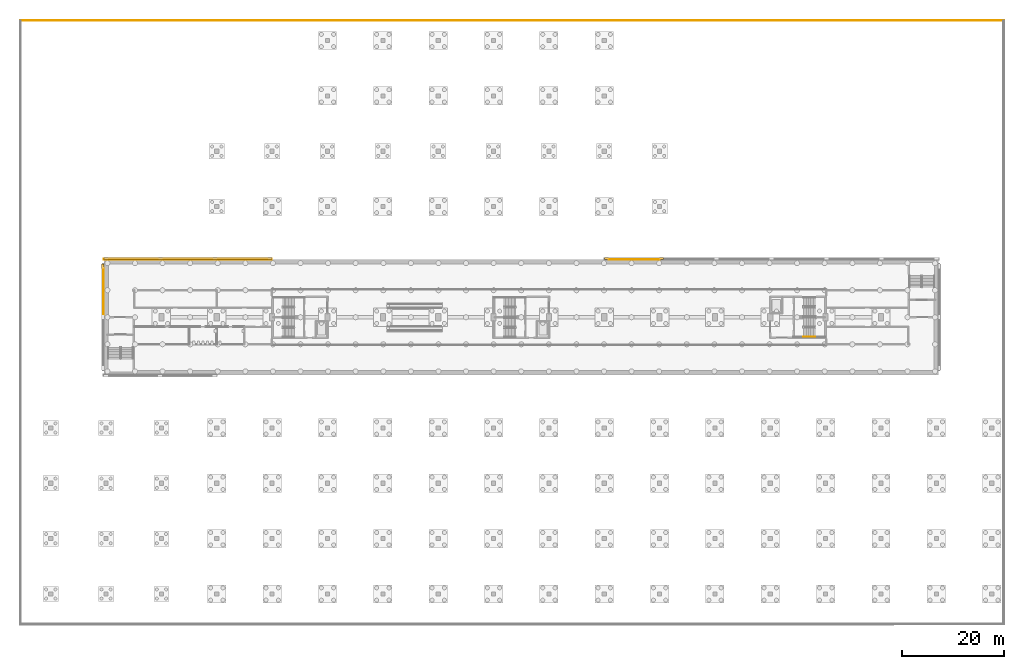
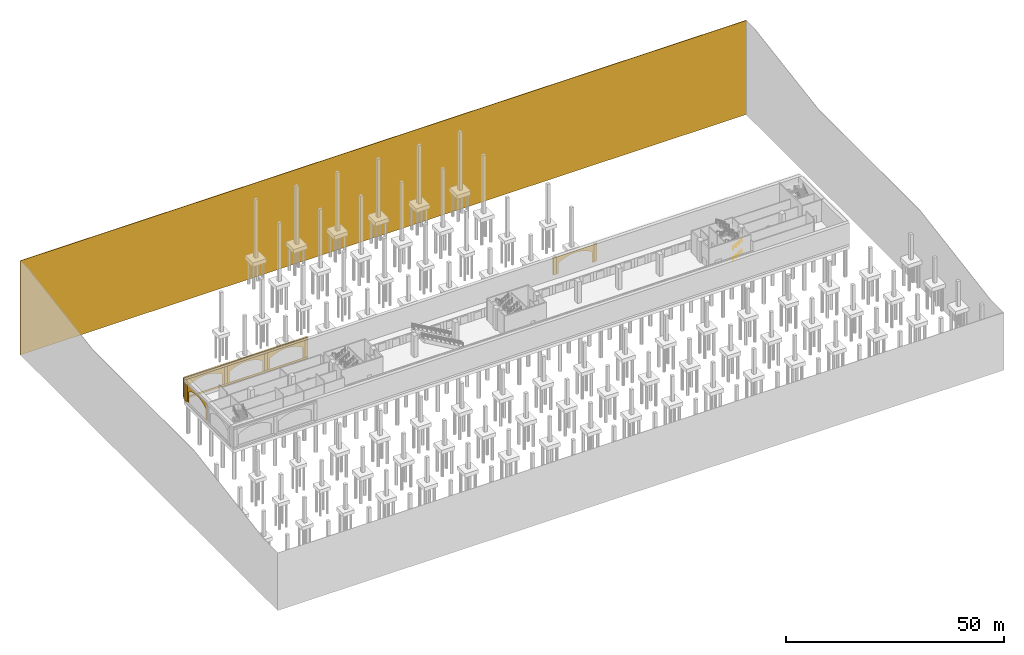
# One storey, part 34 of 39: 16 coverings, 2 railings.
"""IFC4 building model written with IfcOpenShell, lengths in metres."""

from ifc_helpers import new_model, si_unit, direction, frame, frame_2d, origin, origin_2d, place, context, subcontext, project, spatial, polyline, rectangle, circle, outline, extrude, material, layer, layer_set, type_object, element, save


model = new_model("IFC4")

# Units and contexts
model_context = context("Model", 3, precision=1e-05, world=origin(), true_north=direction((0.0, 1.0)))
body_context = subcontext(model_context, "Body", "Model", "MODEL_VIEW")
ifc_project = project(units=[si_unit("LENGTHUNIT", "METRE"), si_unit("AREAUNIT", "SQUARE_METRE"), si_unit("VOLUMEUNIT", "CUBIC_METRE"), si_unit("PLANEANGLEUNIT", "RADIAN"), si_unit("MASSUNIT", "GRAM", prefix="KILO")], contexts=[model_context])

# Site, building, storey
site_placement = place(None, origin())
site = spatial("IfcSite", under=ifc_project, at=site_placement, CompositionType="ELEMENT")
building_placement = place(site_placement, origin())
building = spatial("IfcBuilding", under=site, at=building_placement, Name="Magnolia Steps Interchange", CompositionType="ELEMENT")
storey_placement = place(building_placement, frame((0.0, 0.0, -11.39990234375)))
storey = spatial("IfcBuildingStorey", under=building, at=storey_placement, Name="B2", CompositionType="ELEMENT", Elevation=-11.39990234375)

# Coverings
ifc_material_1 = material(Name="Compacted earth and rock face")
ifc_layer_1 = layer(ifc_material_1, 0.14990234375)
ifc_layer_set_1 = layer_set([ifc_layer_1], Name="Earth retaining face 150")
covering_type_1 = type_object("IfcCoveringType", Name="Earth retaining face 150", PredefinedType="CLADDING", material=ifc_layer_set_1)
covering_1_placement = place(storey_placement, frame((196.0, 121.925048828125, -10.10009765625), z_axis=(0.0, 0.0, 1.0), x_axis=(-1.0, 0.0, 0.0)))
element("IfcCovering", 1, at=covering_1_placement, inside=storey, type_object=covering_type_1, Name="Earth retaining face north", PredefinedType="CLADDING", context=body_context, shape_type="SweptSolid", body=[
    extrude(rectangle(XDim=192.0, YDim=0.14990234375, at=frame_2d((96.0, 0.0))), origin(), (0.0, 0.0, 1.0), 26.300048828125),
])
ifc_material_2 = material(Name="Lime render")
ifc_layer_2 = layer(ifc_material_2, 0.080078125)
ifc_layer_set_2 = layer_set([ifc_layer_2], Name="Lime render arch infill")
covering_type_2 = type_object("IfcCoveringType", Name="Lime render arch infill", PredefinedType="CLADDING", material=ifc_layer_set_2)
covering_2_placement = place(storey_placement, frame((21.699951171875, 75.25, 0.5), z_axis=(0.0, -1.0, 0.0), x_axis=(0.0, 0.0, 1.0)))
element("IfcCovering", 2, at=covering_2_placement, inside=storey, type_object=covering_type_2, Name="Blind arch metro box wall 1.1", PredefinedType="CLADDING", context=body_context, shape_type="SweptSolid", body=[
    extrude(outline(polyline([(0.0, 0.0), (3.0, 0.0), (3.292724609, -0.487060547), (3.541259766, -0.974121094), (3.75, -1.461181641), (3.922119141, -1.948242188), (4.060302734, -2.435302734), (4.166015625, -2.922363281), (4.240722656, -3.409423828), (4.28515625, -3.896240234), (4.299804688, -4.383300781), (4.28515625, -4.870361328), (4.240722656, -5.357421875), (4.166015625, -5.844482422), (4.060302734, -6.331542969), (3.922119141, -6.818603516), (3.75, -7.305664062), (3.541259766, -7.792724609), (3.292724609, -8.279541016), (3.0, -8.766845703), (0.0, -8.766845703), (0.0, -9.316650391), (4.849853516, -9.316650391), (4.849853516, 0.550048828), (0.0, 0.550048828), (0.0, 0.0)])), origin(), (0.0, 0.0, -1.0), 0.080078125),
])
covering_3_placement = place(storey_placement, frame((32.36669921875, 75.25, 0.5), z_axis=(0.0, -1.0, 0.0), x_axis=(0.0, 0.0, 1.0)))
element("IfcCovering", 3, at=covering_3_placement, inside=storey, type_object=covering_type_2, Name="Blind arch metro box wall 1.2", PredefinedType="CLADDING", context=body_context, shape_type="SweptSolid", body=[
    extrude(outline(polyline([(0.0, 0.0), (3.0, 0.0), (3.292724609, -0.487060547), (3.541259766, -0.974121094), (3.75, -1.461181641), (3.922119141, -1.947998047), (4.060302734, -2.435302734), (4.166015625, -2.922119141), (4.240722656, -3.409179688), (4.28515625, -3.896240234), (4.299804688, -4.383300781), (4.28515625, -4.870361328), (4.240722656, -5.357421875), (4.166015625, -5.844482422), (4.060302734, -6.331298828), (3.922119141, -6.818603516), (3.75, -7.305419922), (3.541259766, -7.792480469), (3.292724609, -8.279541016), (3.0, -8.766601562), (0.0, -8.766601562), (0.0, -9.316650391), (4.849853516, -9.316650391), (4.849853516, 0.550048828), (0.0, 0.550048828), (0.0, 0.0)])), origin(), (0.0, 0.0, -1.0), 0.080078125),
])
covering_4_placement = place(storey_placement, frame((43.033203125, 75.25, 0.5), z_axis=(0.0, -1.0, 0.0), x_axis=(0.0, 0.0, 1.0)))
element("IfcCovering", 4, at=covering_4_placement, inside=storey, type_object=covering_type_2, Name="Blind arch metro box wall 1.3", PredefinedType="CLADDING", context=body_context, shape_type="SweptSolid", body=[
    extrude(outline(polyline([(0.0, 0.0), (3.0, 0.0), (3.292724609, -0.487304688), (3.541259766, -0.974121094), (3.75, -1.461181641), (3.922119141, -1.948242188), (4.060302734, -2.435302734), (4.166015625, -2.922363281), (4.240722656, -3.409423828), (4.28515625, -3.896484375), (4.299804688, -4.383544922), (4.28515625, -4.870605469), (4.240722656, -5.357421875), (4.166015625, -5.844482422), (4.060302734, -6.331542969), (3.922119141, -6.818603516), (3.75, -7.305664062), (3.541259766, -7.792724609), (3.292724609, -8.279785156), (3.0, -8.766845703), (0.0, -8.766845703), (0.0, -9.316894531), (4.849853516, -9.316894531), (4.849853516, 0.549804688), (0.0, 0.549804688), (0.0, 0.0)])), origin(), (0.0, 0.0, -1.0), 0.080078125),
])
covering_5_placement = place(storey_placement, frame((119.39990234375, 75.25, 0.5), z_axis=(0.0, -1.0, 0.0), x_axis=(0.0, 0.0, 1.0)))
element("IfcCovering", 5, at=covering_5_placement, inside=storey, type_object=covering_type_2, Name="Blind arch metro box wall 2.1", PredefinedType="CLADDING", context=body_context, shape_type="SweptSolid", body=[
    extrude(outline(polyline([(0.0, 0.0), (3.0, 0.0), (3.292480469, -0.490722656), (3.540771484, -0.981689453), (3.749511719, -1.472412109), (3.921875, -1.963134766), (4.060058594, -2.453857422), (4.166015625, -2.944580078), (4.240722656, -3.435302734), (4.28515625, -3.926025391), (4.299804688, -4.416748047), (4.28515625, -4.907470703), (4.240722656, -5.398193359), (4.166015625, -5.888916016), (4.060058594, -6.379638672), (3.921875, -6.870605469), (3.749511719, -7.361083984), (3.540771484, -7.852050781), (3.292480469, -8.342773438), (3.0, -8.833496094), (0.0, -8.833496094), (0.0, -9.383300781), (4.849853516, -9.383300781), (4.849853516, 0.549804688), (0.0, 0.549804688), (0.0, 0.0)])), origin(), (0.0, 0.0, -1.0), 0.080078125),
])
covering_6_placement = place(storey_placement, frame((20.35009765625, 64.97509765625, 0.5), z_axis=(1.0, 0.0, 0.0), x_axis=(0.0, 0.0, 1.0)))
element("IfcCovering", 6, at=covering_6_placement, inside=storey, type_object=covering_type_2, Name="Blind arch metro box wall 1.2", PredefinedType="CLADDING", context=body_context, shape_type="SweptSolid", body=[
    extrude(outline(polyline([(0.0, 0.0), (3.0, 0.0), (3.296875, -0.445800781), (3.546630859, -0.891601562), (3.755371094, -1.337402344), (3.926513672, -1.783203125), (4.063476562, -2.229003906), (4.16796875, -2.674804688), (4.241699219, -3.120605469), (4.285400391, -3.566650391), (4.299804688, -4.012451172), (4.285400391, -4.458251953), (4.241699219, -4.904052734), (4.16796875, -5.349853516), (4.063476562, -5.795654297), (3.926513672, -6.241699219), (3.755371094, -6.6875), (3.546630859, -7.133300781), (3.296875, -7.579101562), (3.0, -8.024902344), (0.0, -8.024902344), (0.0, -8.574951172), (4.849853516, -8.574951172), (4.849853516, 0.550048828), (0.0, 0.550048828), (0.0, 0.0)])), origin(), (0.0, 0.0, -1.0), 0.080078125),
])
ifc_material_3 = material(Name="Lime render")
ifc_layer_3 = layer(ifc_material_3, 0.1201171875)
ifc_layer_set_3 = layer_set([ifc_layer_3], Name="Lime render band")
covering_type_3 = type_object("IfcCoveringType", Name="Lime render band", PredefinedType="CLADDING", material=ifc_layer_set_3)
covering_7_placement = place(storey_placement, frame((36.75, 75.324951171875, 0.0), z_axis=(0.0, 0.0, 1.0), x_axis=(1.0, 0.0, 0.0)))
element("IfcCovering", 7, at=covering_7_placement, inside=storey, type_object=covering_type_3, Name="Plinth course metro box wall 1", PredefinedType="CLADDING", context=body_context, shape_type="SweptSolid", body=[
    extrude(rectangle(XDim=32.800048828125, YDim=0.14990234375, at=origin_2d()), origin(), (0.0, 0.0, 1.0), 0.5),
])
covering_8_placement = place(storey_placement, frame((36.75, 75.425048828125, 5.35009765625), z_axis=(0.0, 0.0, 1.0), x_axis=(1.0, 0.0, 0.0)))
element("IfcCovering", 8, at=covering_8_placement, inside=storey, type_object=covering_type_3, Name="Cornice metro box wall 1", PredefinedType="CLADDING", context=body_context, shape_type="SweptSolid", body=[
    extrude(rectangle(XDim=32.800048828125, YDim=0.35009765625, at=origin_2d()), origin(), (0.0, 0.0, 1.0), 0.449951171875),
])
covering_9_placement = place(storey_placement, frame((36.75, 75.4599609375, 5.7998046875), z_axis=(0.0, 0.0, 1.0), x_axis=(1.0, 0.0, 0.0)))
element("IfcCovering", 9, at=covering_9_placement, inside=storey, type_object=covering_type_3, Name="Coping metro box wall 1", PredefinedType="CLADDING", context=body_context, shape_type="SweptSolid", body=[
    extrude(rectangle(XDim=32.800048828125, YDim=0.419921875, at=origin_2d()), origin(), (0.0, 0.0, 1.0), 0.199951171875),
])
ifc_material_4 = material(Name="Lime render")
ifc_layer_4 = layer(ifc_material_4, 0.39990234375)
ifc_layer_set_4 = layer_set([ifc_layer_4], Name="Lime render pilaster")
covering_type_4 = type_object("IfcCoveringType", Name="Lime render pilaster", PredefinedType="CLADDING", material=ifc_layer_set_4)
for number, where, z_axis, x_axis, name in (
    (10, (20.75, 75.449951171875, 0.499755859375), (0.0, 0.0, 1.0), (1.0, 0.0, 0.0), "Pilaster metro box wall 1.1"),
    (11, (31.416748046875, 75.449951171875, 0.499755859375), (0.0, 0.0, 1.0), (1.0, 0.0, 0.0), "Pilaster metro box wall 1.2"),
    (12, (42.083251953125, 75.449951171875, 0.499755859375), (0.0, 0.0, 1.0), (1.0, 0.0, 0.0), "Pilaster metro box wall 1.3"),
    (13, (52.75, 75.449951171875, 0.499755859375), (0.0, 0.0, 1.0), (1.0, 0.0, 0.0), "Pilaster metro box wall 1.4"),
    (14, (118.449951171875, 75.449951171875, 0.499755859375), (0.0, 0.0, 1.0), (1.0, 0.0, 0.0), "Pilaster metro box wall 2.1"),
    (15, (129.183349609375, 75.449951171875, 0.499755859375), (0.0, 0.0, 1.0), (1.0, 0.0, 0.0), "Pilaster metro box wall 2.2"),
):
    element("IfcCovering", number, at=place(storey_placement, frame(where, z_axis=z_axis, x_axis=x_axis)), inside=storey, type_object=covering_type_4, Name=name, PredefinedType="CLADDING", context=body_context, shape_type="SweptSolid", body=[
        extrude(rectangle(XDim=0.800048828125, YDim=0.39990234375, at=origin_2d()), origin(), (0.0, 0.0, 1.0), 4.85009765625),
    ])
covering_10_placement = place(storey_placement, frame((20.14990234375, 73.949951171875, 0.499755859375), z_axis=(0.0, 0.0, 1.0), x_axis=(1.0, 0.0, 0.0)))
element("IfcCovering", 16, at=covering_10_placement, inside=storey, type_object=covering_type_4, Name="Pilaster metro box wall 1.3", PredefinedType="CLADDING", context=body_context, shape_type="SweptSolid", body=[
    extrude(rectangle(XDim=0.39990234375, YDim=0.800048828125, at=origin_2d()), origin(), (0.0, 0.0, 1.0), 4.85009765625),
])

# Railings
ifc_material_5 = material(Name="Stainless steel grade 304", Category="steel")
railing_type = type_object("IfcRailingType", Name="Stair handrail 900", PredefinedType="HANDRAIL", material=ifc_material_5)
for number, where, name in (
    (17, (156.875, 60.198974609375, 0.16650390625), "B2 ST14 stair handrail 1"),
    (18, (156.875, 60.198974609375, 3.16650390625), "B2 ST14 stair handrail 3"),
):
    element("IfcRailing", number, at=place(storey_placement, frame(where)), inside=storey, type_object=railing_type, Name=name, PredefinedType="HANDRAIL", context=body_context, shape_type="SweptSolid", body=[
        extrude(circle(Radius=0.02392578125, at=origin_2d()), frame((0.0, 0.0, 0.8759765625), z_axis=(0.859264461869, 0.0, 0.511531606619), x_axis=(0.0, 1.0, 0.0)), (0.0, 0.0, 1.0), 2.60693359375),
        extrude(circle(Radius=0.02099609375, at=origin_2d()), origin(), (0.0, 0.0, 1.0), 0.851806640625),
        extrude(circle(Radius=0.02099609375, at=origin_2d()), frame((0.74658203125, 0.0, 0.444580078125)), (0.0, 0.0, 1.0), 0.851806640625),
        extrude(circle(Radius=0.02099609375, at=origin_2d()), frame((1.493408203125, 0.0, 0.888916015625)), (0.0, 0.0, 1.0), 0.851806640625),
        extrude(circle(Radius=0.02099609375, at=origin_2d()), frame((2.239990234375, 0.0, 1.33349609375)), (0.0, 0.0, 1.0), 0.851806640625),
    ])

save(model, "model.ifc")
